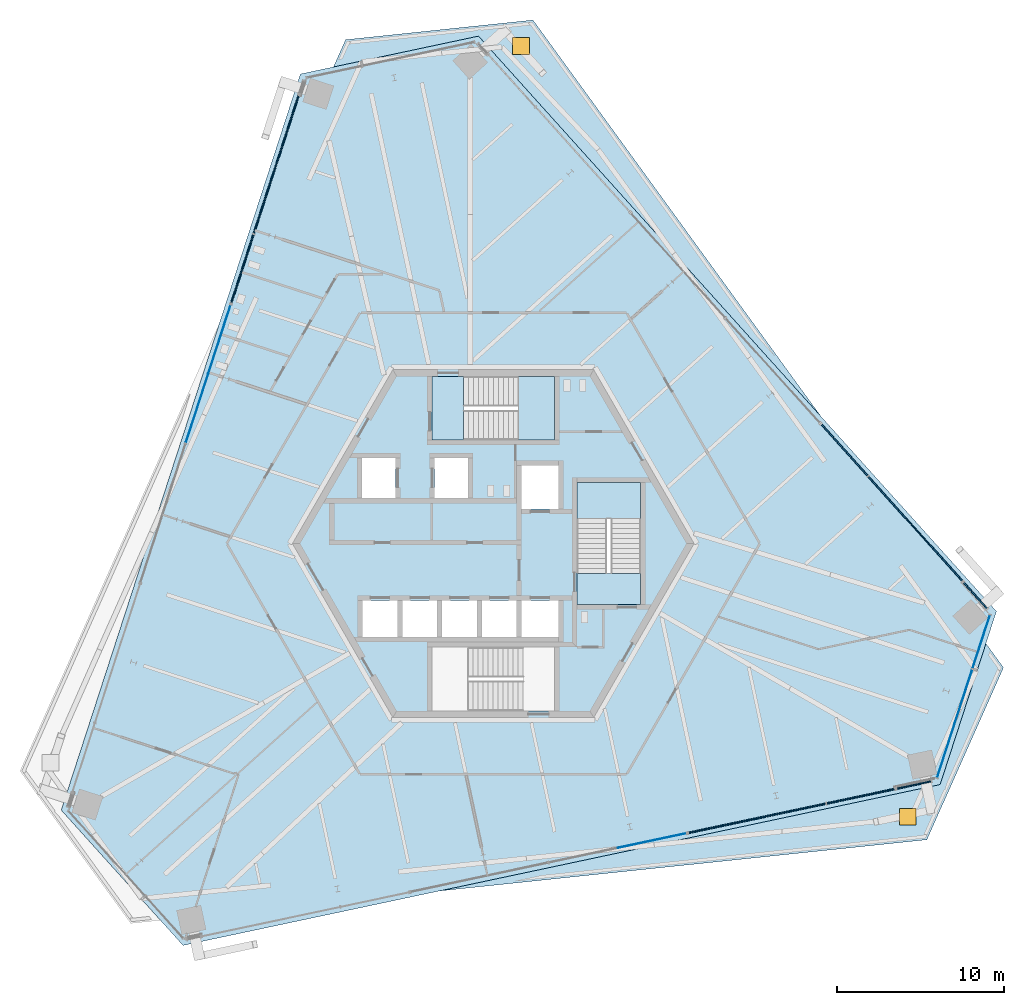
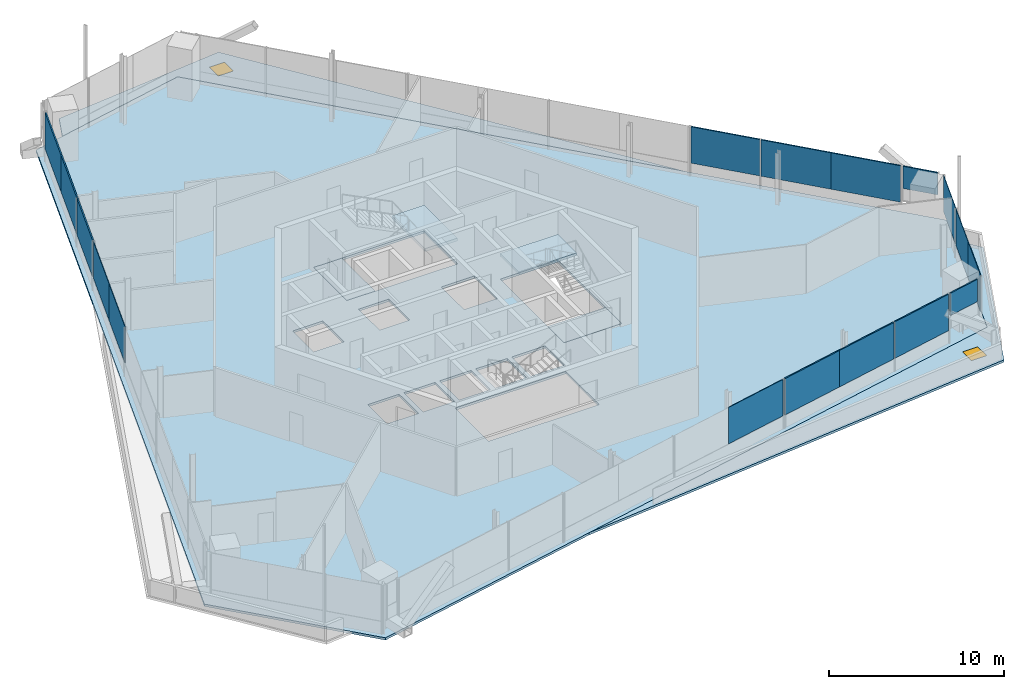
# One storey, part 11 of 20: 17 plates, 7 slabs, 2 doors, 2 openings, 10 elements without a shape of their own.
"""IFC4 building model written with IfcOpenShell, lengths in metres."""

from ifc_helpers import new_model, si_unit, direction, frame, origin, origin_2d, place, context, subcontext, project, spatial, polyline, rectangle, outline, extrude, source, transform, mapped, material, layer, layer_set, type_object, element, fill, aggregate, save


model = new_model("IFC4")

# Units and contexts
model_context = context("Model", 3, precision=1e-05, world=origin(), true_north=direction((0.0, 1.0)))
body_context = subcontext(model_context, "Body", "Model", "MODEL_VIEW")
ifc_project = project(units=[si_unit("LENGTHUNIT", "METRE"), si_unit("AREAUNIT", "SQUARE_METRE"), si_unit("VOLUMEUNIT", "CUBIC_METRE"), si_unit("PLANEANGLEUNIT", "RADIAN"), si_unit("MASSUNIT", "GRAM", prefix="KILO")], contexts=[model_context])

# Site, building, storey
site_placement = place(None, origin())
site = spatial("IfcSite", under=ifc_project, at=site_placement, CompositionType="ELEMENT")
building_placement = place(site_placement, origin())
building = spatial("IfcBuilding", under=site, at=building_placement, Name="Triune Harvest Tower", CompositionType="ELEMENT")
storey_placement = place(building_placement, frame((0.0, 0.0, 259.5)))
storey = spatial("IfcBuildingStorey", under=building, at=storey_placement, Name="L68", CompositionType="ELEMENT", Elevation=259.5)

# Curtain wall, plate
ifc_material_1 = material(Name="Aluminium bronze anodised", Category="aluminium")
curtain_wall_type_1 = type_object("IfcCurtainWallType", Name="CW-7 Tower stick curtain wall with insulated spandrel infill", PredefinedType="NOTDEFINED", material=ifc_material_1)
curtain_wall_1_placement = place(storey_placement, origin())
curtain_wall_1 = element("IfcCurtainWall", 1, at=curtain_wall_1_placement, inside=storey, type_object=curtain_wall_type_1, Name="CW-7 B7-F1 L68 run 1")
ifc_material_2 = material(Name="Insulated spandrel panel, bronze aluminium pan", Category="aluminium")
ifc_layer_1 = layer(ifc_material_2, 0.080078125)
ifc_layer_set_1 = layer_set([ifc_layer_1], Name="Insulated spandrel panel, bronze aluminium pan")
plate_type_1 = type_object("IfcPlateType", Name="SP-1 insulated spandrel panel 80", PredefinedType="CURTAIN_PANEL", material=ifc_layer_set_1)
plate_1_placement = place(storey_placement, frame((28.810791015625, -3.109375, 1.88525390625), z_axis=(0.0, 0.0, 1.0), x_axis=(-0.669137951252, 0.74313821204, 0.0)))
plate_1 = element("IfcPlate", 2, at=plate_1_placement, type_object=plate_type_1, Name="CW-7 panel B7-F1 1.1", PredefinedType="CURTAIN_PANEL", context=body_context, shape_type="SweptSolid", body=[
    extrude(rectangle(XDim=2.08251953125, YDim=0.080078125, at=origin_2d()), origin(), (0.0, 0.0, 1.0), 1.554931640625),
])
aggregate(curtain_wall_1, [plate_1])

# Slab, opening, door
ifc_material_3 = material(Name="Concrete 40 MPa", Category="concrete")
ifc_layer_2 = layer(ifc_material_3, 0.159912109375)
ifc_layer_set_2 = layer_set([ifc_layer_2], Name="Concrete 40 MPa")
slab_type_1 = type_object("IfcSlabType", Name="WR-1 Wedge roof slab 160", PredefinedType="ROOF", material=ifc_layer_set_2)
slab_1_placement = place(storey_placement, frame((0.0, 0.0, -0.159912109375)))
slab_1 = element("IfcSlab", 3, at=slab_1_placement, inside=storey, type_object=slab_type_1, Name="Wedge roof slab L67 2", PredefinedType="ROOF", context=body_context, shape_type="SweptSolid", body=[
    extrude(outline(polyline([(-8.82177734375, 30.10400390625), (-9.547119140625, 28.47509765625), (-0.88232421875, 30.31689453125), (19.58642578125, 7.583984375), (2.3701171875, 31.280517578125), (-8.82177734375, 30.10400390625)])), origin(), (0.0, 0.0, 1.0), 0.159912109375),
])
opening_1_placement = place(slab_1_placement, frame((1.6611328125, 29.732421875, 0.0)))
opening_1 = element("IfcOpeningElement", 4, at=opening_1_placement, cuts=slab_1, Name="Opening RH-L67.2", PredefinedType="OPENING", context=body_context, shape_type="SweptSolid", body=[
    extrude(rectangle(XDim=1.0, YDim=1.0, at=origin_2d()), origin(), (0.0, 0.0, 1.0), 0.159912109375),
])
ifc_material_4 = material(Name="Aluminium bronze anodised", Category="aluminium")
door_type = type_object("IfcDoorType", Name="RH-1 roof hatch 1000 x 1000", OperationType="SINGLE_SWING_LEFT", PredefinedType="TRAPDOOR", material=ifc_material_4)
door_1_placement = place(opening_1_placement, frame((0.0, 0.0, 0.10986328125)))
door_1 = element("IfcDoor", 5, at=door_1_placement, inside=storey, type_object=door_type, Name="Roof hatch L67.2", OperationType="SINGLE_SWING_LEFT", OverallHeight=1.0, OverallWidth=1.0, PredefinedType="TRAPDOOR", context=body_context, shape_type="SweptSolid", body=[
    extrude(rectangle(XDim=1.0, YDim=1.0, at=origin_2d()), origin(), (0.0, 0.0, 1.0), 0.050048828125),
])
fill(opening_1, door_1)

slab_2_placement = place(storey_placement, frame((0.0, 0.0, -0.159912109375)))
slab_2 = element("IfcSlab", 6, at=slab_2_placement, inside=storey, type_object=slab_type_1, Name="Wedge roof slab L67 3", PredefinedType="ROOF", context=body_context, shape_type="SweptSolid", body=[
    extrude(outline(polyline([(30.481689453125, -7.412109375), (29.43359375, -5.969482421875), (26.6962890625, -14.394287109375), (-3.22509765625, -20.75439453125), (25.904541015625, -17.692626953125), (30.481689453125, -7.412109375)])), origin(), (0.0, 0.0, 1.0), 0.159912109375),
])
opening_2_placement = place(slab_2_placement, frame((24.75537109375, -16.323974609375, 0.0)))
opening_2 = element("IfcOpeningElement", 7, at=opening_2_placement, cuts=slab_2, Name="Opening RH-L67.1", PredefinedType="OPENING", context=body_context, shape_type="SweptSolid", body=[
    extrude(rectangle(XDim=1.0, YDim=1.0, at=origin_2d()), origin(), (0.0, 0.0, 1.0), 0.159912109375),
])
door_2_placement = place(opening_2_placement, frame((0.0, 0.0, 0.10986328125)))
door_2 = element("IfcDoor", 8, at=door_2_placement, inside=storey, type_object=door_type, Name="Roof hatch L67.1", OperationType="SINGLE_SWING_LEFT", OverallHeight=1.0, OverallWidth=1.0, PredefinedType="TRAPDOOR", context=body_context, shape_type="SweptSolid", body=[
    extrude(rectangle(XDim=1.0, YDim=1.0, at=origin_2d()), origin(), (0.0, 0.0, 1.0), 0.050048828125),
])
fill(opening_2, door_2)

# Slab
ifc_material_5 = material(Name="Concrete 40 MPa", Category="concrete")
ifc_layer_3 = layer(ifc_material_5, 0.159912109375)
ifc_layer_set_3 = layer_set([ifc_layer_3], Name="Concrete 40 MPa")
slab_type_2 = type_object("IfcSlabType", Name="SL-1 Composite floor slab 160", PredefinedType="FLOOR", material=ifc_layer_set_3)
shared_shape_1 = source(origin(), body_context, "Body", "SweptSolid", [
    extrude(outline(polyline([(30.05810546875, -4.04638671875), (-0.88232421875, 30.31640625), (-11.524658203125, 28.054443359375), (-25.813720703125, -15.922607421875), (-18.533447265625, -24.0078125), (26.696044921875, -14.39404296875), (30.05810546875, -4.04638671875)]), holes=[polyline([(-5.72509765625, -5.590087890625), (-5.72509765625, -3.389892578125), (-7.800048828125, -3.389892578125), (-7.800048828125, -5.590087890625), (-5.72509765625, -5.590087890625)]), polyline([(-3.35009765625, -5.590087890625), (-3.35009765625, -3.389892578125), (-5.425048828125, -3.389892578125), (-5.425048828125, -5.590087890625), (-3.35009765625, -5.590087890625)]), polyline([(-0.97509765625, -5.590087890625), (-0.97509765625, -3.389892578125), (-3.050048828125, -3.389892578125), (-3.050048828125, -5.590087890625), (-0.97509765625, -5.590087890625)]), polyline([(1.39990234375, -5.590087890625), (1.39990234375, -3.389892578125), (-0.675048828125, -3.389892578125), (-0.675048828125, -5.590087890625), (1.39990234375, -5.590087890625)]), polyline([(3.89990234375, 2.06005859375), (3.89990234375, 4.659912109375), (1.699951171875, 4.659912109375), (1.699951171875, 2.06005859375), (3.89990234375, 2.06005859375)]), polyline([(3.89990234375, -5.590087890625), (3.89990234375, -3.389892578125), (1.699951171875, -3.389892578125), (1.699951171875, -5.590087890625), (3.89990234375, -5.590087890625)]), polyline([(-5.85009765625, 2.7099609375), (-5.85009765625, 5.110107421875), (-7.85009765625, 5.110107421875), (-7.85009765625, 2.7099609375), (-5.85009765625, 2.7099609375)]), polyline([(-1.5, 2.7099609375), (-1.5, 5.110107421875), (-3.5, 5.110107421875), (-3.5, 2.7099609375), (-1.5, 2.7099609375)]), polyline([(3.64990234375, 6.18994140625), (3.64990234375, 9.989990234375), (-3.64990234375, 9.989990234375), (-3.64990234375, 6.18994140625), (3.64990234375, 6.18994140625)]), polyline([(3.64990234375, -9.989990234375), (3.64990234375, -6.18994140625), (-3.64990234375, -6.18994140625), (-3.64990234375, -9.989990234375), (3.64990234375, -9.989990234375)]), polyline([(8.800048828125, -3.64990234375), (8.800048828125, 3.64990234375), (5.0, 3.64990234375), (5.0, -3.64990234375), (8.800048828125, -3.64990234375)])]), origin(), (0.0, 0.0, 1.0), 0.159912109375),
])
slab_3_placement = place(storey_placement, frame((0.0, 0.0, -0.159912109375)))
element("IfcSlab", 9, at=slab_3_placement, inside=storey, type_object=slab_type_2, Name="slab/L68/1", PredefinedType="FLOOR", context=body_context, shape_type="MappedRepresentation", body=[
    mapped(shared_shape_1, transform((0.0, 0.0, 0.0), scale=1.0)),
])

# Stair, slabs
ifc_material_6 = material(Name="Concrete 40 MPa", Category="concrete")
stair_type = type_object("IfcStairType", Name="Exit stair 1800 half turn", PredefinedType="HALF_TURN_STAIR", material=ifc_material_6)
stair_1_placement = place(storey_placement, origin())
stair_1 = element("IfcStair", 10, at=stair_1_placement, inside=storey, type_object=stair_type, Name="Exit stair north", PredefinedType="HALF_TURN_STAIR")
ifc_material_7 = material(Name="Concrete 40 MPa", Category="concrete")
ifc_layer_4 = layer(ifc_material_7, 0.199951171875)
ifc_layer_set_4 = layer_set([ifc_layer_4], Name="Concrete 40 MPa")
slab_type_3 = type_object("IfcSlabType", Name="Stair landing 200", PredefinedType="LANDING", material=ifc_layer_set_4)
shared_shape_2 = source(origin(), body_context, "Body", "SweptSolid", [
    extrude(outline(polyline([(1.510009765625, 6.18994140625), (3.64990234375, 6.18994140625), (3.64990234375, 9.989990234375), (1.510009765625, 9.989990234375), (1.510009765625, 6.18994140625)])), origin(), (0.0, 0.0, 1.0), 0.199951171875),
])
slab_4_placement = place(storey_placement, frame((0.0, 0.0, 1.60009765625)))
slab_4 = element("IfcSlab", 11, at=slab_4_placement, type_object=slab_type_3, Name="ST-1 landing 2", PredefinedType="LANDING", context=body_context, shape_type="MappedRepresentation", body=[
    mapped(shared_shape_2, transform((0.0, 0.0, 0.0), scale=1.0)),
])
shared_shape_3 = source(origin(), body_context, "Body", "SweptSolid", [
    extrude(outline(polyline([(-3.64990234375, 6.18994140625), (-1.780029296875, 6.18994140625), (-1.780029296875, 9.989990234375), (-3.64990234375, 9.989990234375), (-3.64990234375, 6.18994140625)])), origin(), (0.0, 0.0, 1.0), 0.199951171875),
])
slab_5_placement = place(storey_placement, frame((0.0, 0.0, -0.199951171875)))
slab_5 = element("IfcSlab", 12, at=slab_5_placement, type_object=slab_type_3, Name="ST-1 landing 1", PredefinedType="LANDING", context=body_context, shape_type="MappedRepresentation", body=[
    mapped(shared_shape_3, transform((0.0, 0.0, 0.0), scale=1.0)),
])
aggregate(stair_1, [slab_5, slab_4])

stair_2_placement = place(storey_placement, origin())
stair_2 = element("IfcStair", 13, at=stair_2_placement, inside=storey, type_object=stair_type, Name="Exit stair east", PredefinedType="HALF_TURN_STAIR")
shared_shape_4 = source(origin(), body_context, "Body", "SweptSolid", [
    extrude(outline(polyline([(8.800048828125, 1.510009765625), (8.800048828125, 3.64990234375), (5.0, 3.64990234375), (5.0, 1.510009765625), (8.800048828125, 1.510009765625)])), origin(), (0.0, 0.0, 1.0), 0.199951171875),
])
slab_6_placement = place(storey_placement, frame((0.0, 0.0, 1.60009765625)))
slab_6 = element("IfcSlab", 14, at=slab_6_placement, type_object=slab_type_3, Name="ST-3 landing 2", PredefinedType="LANDING", context=body_context, shape_type="MappedRepresentation", body=[
    mapped(shared_shape_4, transform((0.0, 0.0, 0.0), scale=1.0)),
])
shared_shape_5 = source(origin(), body_context, "Body", "SweptSolid", [
    extrude(outline(polyline([(8.800048828125, -3.64990234375), (8.800048828125, -1.780029296875), (5.0, -1.780029296875), (5.0, -3.64990234375), (8.800048828125, -3.64990234375)])), origin(), (0.0, 0.0, 1.0), 0.199951171875),
])
slab_7_placement = place(storey_placement, frame((0.0, 0.0, -0.199951171875)))
slab_7 = element("IfcSlab", 15, at=slab_7_placement, type_object=slab_type_3, Name="ST-3 landing 1", PredefinedType="LANDING", context=body_context, shape_type="MappedRepresentation", body=[
    mapped(shared_shape_5, transform((0.0, 0.0, 0.0), scale=1.0)),
])
aggregate(stair_2, [slab_7, slab_6])

# Curtain wall, plate
curtain_wall_2_placement = place(storey_placement, origin())
curtain_wall_2 = element("IfcCurtainWall", 16, at=curtain_wall_2_placement, inside=storey, type_object=curtain_wall_type_1, Name="CW-7 B7-F3 L68 run 101")
shared_shape_6 = source(origin(), body_context, "Body", "SweptSolid", [
    extrude(rectangle(XDim=4.349365234375, YDim=0.080078125, at=origin_2d()), origin(), (0.0, 0.0, 1.0), 2.5400390625),
])
plate_2_placement = place(storey_placement, frame((-13.63330078125, 20.59423828125, 0.89990234375), z_axis=(0.0, 0.0, 1.0), x_axis=(-0.309020097121, -0.951055508146, 0.0)))
plate_2 = element("IfcPlate", 17, at=plate_2_placement, type_object=plate_type_1, Name="CW-7 panel B7-F3 101.2", PredefinedType="CURTAIN_PANEL", context=body_context, shape_type="MappedRepresentation", body=[
    mapped(shared_shape_6, transform((0.0, 0.0, 0.0), scale=1.0)),
])

curtain_wall_3_placement = place(storey_placement, origin())
curtain_wall_3 = element("IfcCurtainWall", 18, at=curtain_wall_3_placement, inside=storey, type_object=curtain_wall_type_1, Name="CW-7 B7-F5 L68 run 201")
shared_shape_7 = source(origin(), body_context, "Body", "SweptSolid", [
    extrude(rectangle(XDim=2.082275390625, YDim=0.080078125, at=origin_2d()), origin(), (0.0, 0.0, 1.0), 1.554931640625),
])
plate_3_placement = place(storey_placement, frame((25.135986328125, -14.4189453125, 1.88525390625), z_axis=(0.0, 0.0, 1.0), x_axis=(0.978151108661, 0.207895186635, 0.0)))
plate_3 = element("IfcPlate", 19, at=plate_3_placement, type_object=plate_type_1, Name="CW-7 panel B7-F5 201.1", PredefinedType="CURTAIN_PANEL", context=body_context, shape_type="MappedRepresentation", body=[
    mapped(shared_shape_7, transform((0.0, 0.0, 0.0), scale=1.0)),
])
aggregate(curtain_wall_3, [plate_3])

curtain_wall_4_placement = place(storey_placement, origin())
curtain_wall_4 = element("IfcCurtainWall", 20, at=curtain_wall_4_placement, inside=storey, type_object=curtain_wall_type_1, Name="CW-7 B7-F1 L68 run 101")
shared_shape_8 = source(origin(), body_context, "Body", "SweptSolid", [
    extrude(rectangle(XDim=4.165771484375, YDim=0.080078125, at=origin_2d()), origin(), (0.0, 0.0, 1.0), 2.5400390625),
])
plate_4_placement = place(storey_placement, frame((26.619873046875, -0.67626953125, 0.89990234375), z_axis=(0.0, 0.0, 1.0), x_axis=(-0.669131907035, 0.743143654341, 0.0)))
plate_4 = element("IfcPlate", 21, at=plate_4_placement, type_object=plate_type_1, Name="CW-7 panel B7-F1 101.1", PredefinedType="CURTAIN_PANEL", context=body_context, shape_type="MappedRepresentation", body=[
    mapped(shared_shape_8, transform((0.0, 0.0, 0.0), scale=1.0)),
])

curtain_wall_5_placement = place(storey_placement, origin())
curtain_wall_5 = element("IfcCurtainWall", 22, at=curtain_wall_5_placement, inside=storey, type_object=curtain_wall_type_1, Name="CW-7 B7-F5 L68 run 2101")
plate_5_placement = place(storey_placement, frame((13.710693359375, -16.847412109375, 0.89990234375), z_axis=(0.0, 0.0, 1.0), x_axis=(0.9781478824, 0.20791036568, 0.0)))
plate_5 = element("IfcPlate", 23, at=plate_5_placement, type_object=plate_type_1, Name="CW-7 panel B7-F5 2101.1", PredefinedType="CURTAIN_PANEL", context=body_context, shape_type="MappedRepresentation", body=[
    mapped(shared_shape_8, transform((0.0, 0.0, 0.0), scale=1.0)),
])

# Plate
shared_shape_9 = source(origin(), body_context, "Body", "SweptSolid", [
    extrude(rectangle(XDim=4.203369140625, YDim=0.080078125, at=origin_2d()), origin(), (0.0, 0.0, 1.0), 2.5400390625),
])
plate_6_placement = place(storey_placement, frame((23.820068359375, 2.433349609375, 0.89990234375), z_axis=(0.0, 0.0, 1.0), x_axis=(-0.669131907035, 0.743143654341, 0.0)))
plate_6 = element("IfcPlate", 24, at=plate_6_placement, type_object=plate_type_1, Name="CW-7 panel B7-F1 101.2", PredefinedType="CURTAIN_PANEL", context=body_context, shape_type="MappedRepresentation", body=[
    mapped(shared_shape_9, transform((0.0, 0.0, 0.0), scale=1.0)),
])

plate_7_placement = place(storey_placement, frame((17.8037109375, -15.9775390625, 0.89990234375), z_axis=(0.0, 0.0, 1.0), x_axis=(0.9781478824, 0.20791036568, 0.0)))
plate_7 = element("IfcPlate", 25, at=plate_7_placement, type_object=plate_type_1, Name="CW-7 panel B7-F5 2101.2", PredefinedType="CURTAIN_PANEL", context=body_context, shape_type="MappedRepresentation", body=[
    mapped(shared_shape_9, transform((0.0, 0.0, 0.0), scale=1.0)),
])

shared_shape_10 = source(origin(), body_context, "Body", "SweptSolid", [
    extrude(rectangle(XDim=4.128173828125, YDim=0.080078125, at=origin_2d()), origin(), (0.0, 0.0, 1.0), 2.5400390625),
])
plate_8_placement = place(storey_placement, frame((20.982421875, 5.5849609375, 0.89990234375), z_axis=(0.0, 0.0, 1.0), x_axis=(-0.669131907035, 0.743143654341, 0.0)))
plate_8 = element("IfcPlate", 26, at=plate_8_placement, type_object=plate_type_1, Name="CW-7 panel B7-F1 101.3", PredefinedType="CURTAIN_PANEL", context=body_context, shape_type="MappedRepresentation", body=[
    mapped(shared_shape_10, transform((0.0, 0.0, 0.0), scale=1.0)),
])

aggregate(curtain_wall_4, [plate_4, plate_6, plate_8])

plate_9_placement = place(storey_placement, frame((21.951904296875, -15.095703125, 0.89990234375), z_axis=(0.0, 0.0, 1.0), x_axis=(0.9781478824, 0.20791036568, 0.0)))
plate_9 = element("IfcPlate", 27, at=plate_9_placement, type_object=plate_type_1, Name="CW-7 panel B7-F5 2101.3", PredefinedType="CURTAIN_PANEL", context=body_context, shape_type="MappedRepresentation", body=[
    mapped(shared_shape_10, transform((0.0, 0.0, 0.0), scale=1.0)),
])

aggregate(curtain_wall_5, [plate_5, plate_7, plate_9])

# Curtain wall, plate
ifc_material_8 = material(Name="Aluminium bronze anodised", Category="aluminium")
curtain_wall_type_2 = type_object("IfcCurtainWallType", Name="CW-1 Tower stick curtain wall", PredefinedType="NOTDEFINED", material=ifc_material_8)
curtain_wall_6_placement = place(storey_placement, origin())
curtain_wall_6 = element("IfcCurtainWall", 28, at=curtain_wall_6_placement, inside=storey, type_object=curtain_wall_type_2, Name="CW-1 B7-F5 L68 run 1101")
ifc_material_9 = material(Name="Glass", Category="glass")
ifc_layer_5 = layer(ifc_material_9, 0.031982421875)
ifc_layer_set_5 = layer_set([ifc_layer_5], Name="Glass")
plate_type_2 = type_object("IfcPlateType", Name="GL-1 panel 32", PredefinedType="CURTAIN_PANEL", material=ifc_layer_set_5)
shared_shape_11 = source(origin(), body_context, "Body", "SweptSolid", [
    extrude(rectangle(XDim=4.165771484375, YDim=0.031982421875, at=origin_2d()), origin(), (0.0, 0.0, 1.0), 2.5400390625),
])
plate_10_placement = place(storey_placement, frame((9.4892578125, -17.74462890625, 0.89990234375), z_axis=(0.0, 0.0, 1.0), x_axis=(0.9781478824, 0.20791036568, 0.0)))
plate_10 = element("IfcPlate", 29, at=plate_10_placement, type_object=plate_type_2, Name="CW-1 panel B7-F5 1101.4", PredefinedType="CURTAIN_PANEL", context=body_context, shape_type="MappedRepresentation", body=[
    mapped(shared_shape_11, transform((0.0, 0.0, 0.0), scale=1.0)),
])
aggregate(curtain_wall_6, [plate_10])

# Curtain wall, plates
curtain_wall_7_placement = place(storey_placement, origin())
curtain_wall_7 = element("IfcCurtainWall", 30, at=curtain_wall_7_placement, inside=storey, type_object=curtain_wall_type_2, Name="CW-1 B7-F6 L68 run 1")
shared_shape_12 = source(origin(), body_context, "Body", "SweptSolid", [
    extrude(rectangle(XDim=3.376220703125, YDim=0.031982421875, at=origin_2d()), origin(), (0.0, 0.0, 1.0), 2.5400390625),
])
plate_11_placement = place(storey_placement, frame((27.036865234375, -12.374267578125, 0.89990234375), z_axis=(0.0, 0.0, 1.0), x_axis=(0.309018882717, 0.951055902733, 0.0)))
plate_11 = element("IfcPlate", 31, at=plate_11_placement, type_object=plate_type_2, Name="CW-1 panel B7-F6 1.1", PredefinedType="CURTAIN_PANEL", context=body_context, shape_type="MappedRepresentation", body=[
    mapped(shared_shape_12, transform((0.0, 0.0, 0.0), scale=1.0)),
])
shared_shape_13 = source(origin(), body_context, "Body", "SweptSolid", [
    extrude(rectangle(XDim=3.413818359375, YDim=0.031982421875, at=origin_2d()), origin(), (0.0, 0.0, 1.0), 2.5400390625),
])
plate_12_placement = place(storey_placement, frame((28.0859375, -9.145263671875, 0.89990234375), z_axis=(0.0, 0.0, 1.0), x_axis=(0.309018882717, 0.951055902733, 0.0)))
plate_12 = element("IfcPlate", 32, at=plate_12_placement, type_object=plate_type_2, Name="CW-1 panel B7-F6 1.2", PredefinedType="CURTAIN_PANEL", context=body_context, shape_type="MappedRepresentation", body=[
    mapped(shared_shape_13, transform((0.0, 0.0, 0.0), scale=1.0)),
])
shared_shape_14 = source(origin(), body_context, "Body", "SweptSolid", [
    extrude(rectangle(XDim=3.338623046875, YDim=0.031982421875, at=origin_2d()), origin(), (0.0, 0.0, 1.0), 2.5400390625),
])
plate_13_placement = place(storey_placement, frame((29.152587890625, -5.863037109375, 0.89990234375), z_axis=(0.0, 0.0, 1.0), x_axis=(0.309018882717, 0.951055902733, 0.0)))
plate_13 = element("IfcPlate", 33, at=plate_13_placement, type_object=plate_type_2, Name="CW-1 panel B7-F6 1.3", PredefinedType="CURTAIN_PANEL", context=body_context, shape_type="MappedRepresentation", body=[
    mapped(shared_shape_14, transform((0.0, 0.0, 0.0), scale=1.0)),
])
aggregate(curtain_wall_7, [plate_11, plate_12, plate_13])

# Plate
shared_shape_15 = source(origin(), body_context, "Body", "SweptSolid", [
    extrude(rectangle(XDim=4.31201171875, YDim=0.080078125, at=origin_2d()), origin(), (0.0, 0.0, 1.0), 2.5400390625),
])
plate_14_placement = place(storey_placement, frame((-12.294921875, 24.712890625, 0.89990234375), z_axis=(0.0, 0.0, 1.0), x_axis=(-0.309020097121, -0.951055508146, 0.0)))
plate_14 = element("IfcPlate", 34, at=plate_14_placement, type_object=plate_type_1, Name="CW-7 panel B7-F3 101.1", PredefinedType="CURTAIN_PANEL", context=body_context, shape_type="MappedRepresentation", body=[
    mapped(shared_shape_15, transform((0.0, 0.0, 0.0), scale=1.0)),
])

shared_shape_16 = source(origin(), body_context, "Body", "SweptSolid", [
    extrude(rectangle(XDim=4.2744140625, YDim=0.080078125, at=origin_2d()), origin(), (0.0, 0.0, 1.0), 2.5400390625),
])
plate_15_placement = place(storey_placement, frame((-14.989013671875, 16.421875, 0.89990234375), z_axis=(0.0, 0.0, 1.0), x_axis=(-0.309020097121, -0.951055508146, 0.0)))
plate_15 = element("IfcPlate", 35, at=plate_15_placement, type_object=plate_type_1, Name="CW-7 panel B7-F3 101.3", PredefinedType="CURTAIN_PANEL", context=body_context, shape_type="MappedRepresentation", body=[
    mapped(shared_shape_16, transform((0.0, 0.0, 0.0), scale=1.0)),
])

aggregate(curtain_wall_2, [plate_14, plate_2, plate_15])

# Curtain wall, plates
curtain_wall_8_placement = place(storey_placement, origin())
curtain_wall_8 = element("IfcCurtainWall", 36, at=curtain_wall_8_placement, inside=storey, type_object=curtain_wall_type_2, Name="CW-1 B7-F3 L68 run 1101")
shared_shape_17 = source(origin(), body_context, "Body", "SweptSolid", [
    extrude(rectangle(XDim=4.31201171875, YDim=0.031982421875, at=origin_2d()), origin(), (0.0, 0.0, 1.0), 2.5400390625),
])
plate_16_placement = place(storey_placement, frame((-16.362060546875, 12.196044921875, 0.89990234375), z_axis=(0.0, 0.0, 1.0), x_axis=(-0.309014427743, -0.951057350241, 0.0)))
plate_16 = element("IfcPlate", 37, at=plate_16_placement, type_object=plate_type_2, Name="CW-1 panel B7-F3 1101.1", PredefinedType="CURTAIN_PANEL", context=body_context, shape_type="MappedRepresentation", body=[
    mapped(shared_shape_17, transform((0.0, 0.0, 0.0), scale=1.0)),
])
shared_shape_18 = source(origin(), body_context, "Body", "SweptSolid", [
    extrude(rectangle(XDim=4.349609375, YDim=0.031982421875, at=origin_2d()), origin(), (0.0, 0.0, 1.0), 2.5400390625),
])
plate_17_placement = place(storey_placement, frame((-17.7001953125, 8.077392578125, 0.89990234375), z_axis=(0.0, 0.0, 1.0), x_axis=(-0.309014427743, -0.951057350241, 0.0)))
plate_17 = element("IfcPlate", 38, at=plate_17_placement, type_object=plate_type_2, Name="CW-1 panel B7-F3 1101.2", PredefinedType="CURTAIN_PANEL", context=body_context, shape_type="MappedRepresentation", body=[
    mapped(shared_shape_18, transform((0.0, 0.0, 0.0), scale=1.0)),
])
aggregate(curtain_wall_8, [plate_16, plate_17])

save(model, "model.ifc")
